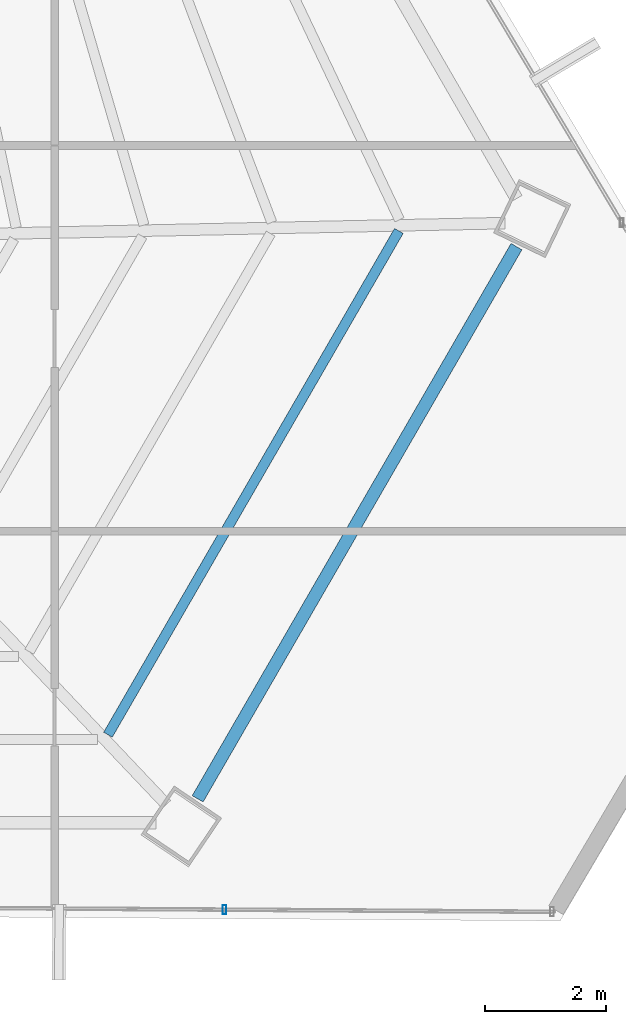
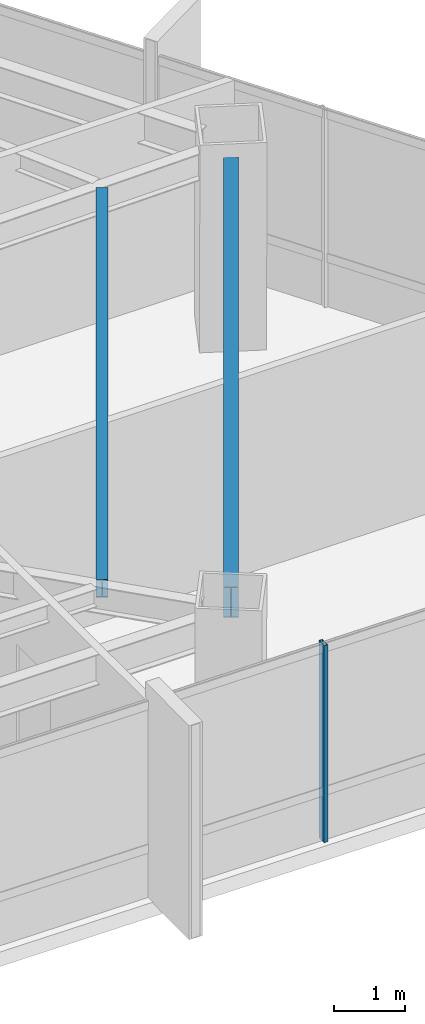
# One storey, part 19 of 41: 2 beams, 1 member, 1 element without a shape of its own.
"""IFC4 building model written with IfcOpenShell, lengths in metres."""

from ifc_helpers import new_model, si_unit, direction, frame, origin, origin_2d, place, context, subcontext, project, spatial, hollow_rectangle, i_section, extrude, source, transform, mapped, material, material_profile, profile_set, type_object, type_shapes, element, aggregate, save


model = new_model("IFC4")

# Units and contexts
model_context = context("Model", 3, precision=1e-05, world=origin(), true_north=direction((0.0, 1.0)))
body_context = subcontext(model_context, "Body", "Model", "MODEL_VIEW")
ifc_project = project(units=[si_unit("LENGTHUNIT", "METRE"), si_unit("AREAUNIT", "SQUARE_METRE"), si_unit("VOLUMEUNIT", "CUBIC_METRE"), si_unit("PLANEANGLEUNIT", "RADIAN"), si_unit("MASSUNIT", "GRAM", prefix="KILO")], contexts=[model_context])

# Site, building, storey
site_placement = place(None, origin())
site = spatial("IfcSite", under=ifc_project, at=site_placement, CompositionType="ELEMENT")
building_placement = place(site_placement, origin())
building = spatial("IfcBuilding", under=site, at=building_placement, Name="Caelisora Broadcast Tower", CompositionType="ELEMENT")
storey_placement = place(building_placement, frame((0.0, 0.0, 173.10009765625)))
storey = spatial("IfcBuildingStorey", under=building, at=storey_placement, Name="L45", CompositionType="ELEMENT", Elevation=173.10009765625)

# Beams
ifc_material_1 = material(Name="Steel Grade 350 (AS/NZS 3679.1)", Category="steel")
ifc_material_profile_1 = material_profile(ifc_material_1, i_section(OverallWidth=0.208984375, OverallDepth=0.532958984375, WebThickness=0.01025390625, FlangeThickness=0.015625, at=origin_2d()), Name="Steel Grade 350 (AS/NZS 3679.1)")
ifc_profile_set_1 = profile_set([ifc_material_profile_1], Name="Steel Grade 350 (AS/NZS 3679.1)")
beam_type_1 = type_object("IfcBeamType", Name="PG05", PredefinedType="BEAM", material=ifc_profile_set_1)
shared_shape_1 = source(origin(), body_context, "Body", "SweptSolid", [
    extrude(i_section(OverallWidth=0.208984375, OverallDepth=0.532958984375, WebThickness=0.01025390625, FlangeThickness=0.015625, at=origin_2d()), origin(), (0.0, 0.0, 1.0), 10.577392578125),
])
type_shapes(beam_type_1, [shared_shape_1])
beam_1_placement = place(storey_placement, frame((54.87109375, 8.152587890625, 3.13330078125), z_axis=(0.500014158692, 0.866017229106, 0.0), x_axis=(-0.866017229106, 0.500014158692, 0.0)))
element("IfcBeam", 1, at=beam_1_placement, inside=storey, type_object=beam_type_1, Name="L45 beam PG05", PredefinedType="BEAM", context=body_context, shape_type="MappedRepresentation", body=[
    mapped(shared_shape_1, transform((0.0, 0.0, 0.0), scale=1.0)),
])
ifc_material_profile_2 = material_profile(ifc_material_1, i_section(OverallWidth=0.166015625, OverallDepth=0.30712890625, WebThickness=0.006591796875, FlangeThickness=0.01171875, at=origin_2d()), Name="Steel Grade 350 (AS/NZS 3679.1)")
ifc_profile_set_2 = profile_set([ifc_material_profile_2], Name="Steel Grade 350 (AS/NZS 3679.1)")
beam_type_2 = type_object("IfcBeamType", Name="SB03", PredefinedType="JOIST", material=ifc_profile_set_2)
shared_shape_2 = source(origin(), body_context, "Body", "SweptSolid", [
    extrude(i_section(OverallWidth=0.166015625, OverallDepth=0.30712890625, WebThickness=0.006591796875, FlangeThickness=0.01171875, at=origin_2d()), origin(), (0.0, 0.0, 1.0), 9.64990234375),
])
type_shapes(beam_type_2, [shared_shape_2])
beam_2_placement = place(storey_placement, frame((53.383544921875, 9.2158203125, 3.246337890625), z_axis=(0.50000569793, 0.866022114058, 0.0), x_axis=(-0.866022114058, 0.50000569793, 0.0)))
element("IfcBeam", 2, at=beam_2_placement, inside=storey, type_object=beam_type_2, Name="L45 beam SB03", PredefinedType="JOIST", context=body_context, shape_type="MappedRepresentation", body=[
    mapped(shared_shape_2, transform((0.0, 0.0, 0.0), scale=1.0)),
])

# Curtain wall, member
ifc_material_2 = material(Name="Unitised Aluminium and Low-E Glass Curtain Wall", Category="glass")
curtain_wall_type = type_object("IfcCurtainWallType", Name="CW-Z3", PredefinedType="NOTDEFINED", material=ifc_material_2)
curtain_wall_placement = place(storey_placement, origin())
curtain_wall = element("IfcCurtainWall", 3, at=curtain_wall_placement, inside=storey, type_object=curtain_wall_type, Name="L45 curtain wall CW-Z3", PredefinedType="NOTDEFINED")
ifc_material_3 = material(Name="Aluminium 6063-T6 Anodised Terracotta Bronze", Category="aluminium")
ifc_material_profile_3 = material_profile(ifc_material_3, hollow_rectangle(XDim=0.06005859375, YDim=0.14990234375, WallThickness=0.00341796875, at=origin_2d()), Name="Aluminium 6063-T6 Anodised Terracotta Bronze")
ifc_profile_set_3 = profile_set([ifc_material_profile_3], Name="Aluminium 6063-T6 Anodised Terracotta Bronze")
member_type = type_object("IfcMemberType", Name="CWM-03", PredefinedType="MULLION", material=ifc_profile_set_3)
shared_shape_3 = source(origin(), body_context, "Body", "SweptSolid", [
    extrude(hollow_rectangle(XDim=0.06005859375, YDim=0.14990234375, WallThickness=0.00341796875, at=origin_2d()), origin(), (0.0, 0.0, 1.0), 3.39990234375),
])
type_shapes(member_type, [shared_shape_3])
member_placement = place(storey_placement, frame((55.3173828125, 6.314208984375, 0.0), z_axis=(0.0, 0.0, 1.0), x_axis=(1.0, 0.0, 0.0)))
member = element("IfcMember", 4, at=member_placement, type_object=member_type, Name="L45-CW-B05 mullion #1", PredefinedType="MULLION", context=body_context, shape_type="MappedRepresentation", body=[
    mapped(shared_shape_3, transform((0.0, 0.0, 0.0), scale=1.0)),
])
aggregate(curtain_wall, [member])

save(model, "model.ifc")
